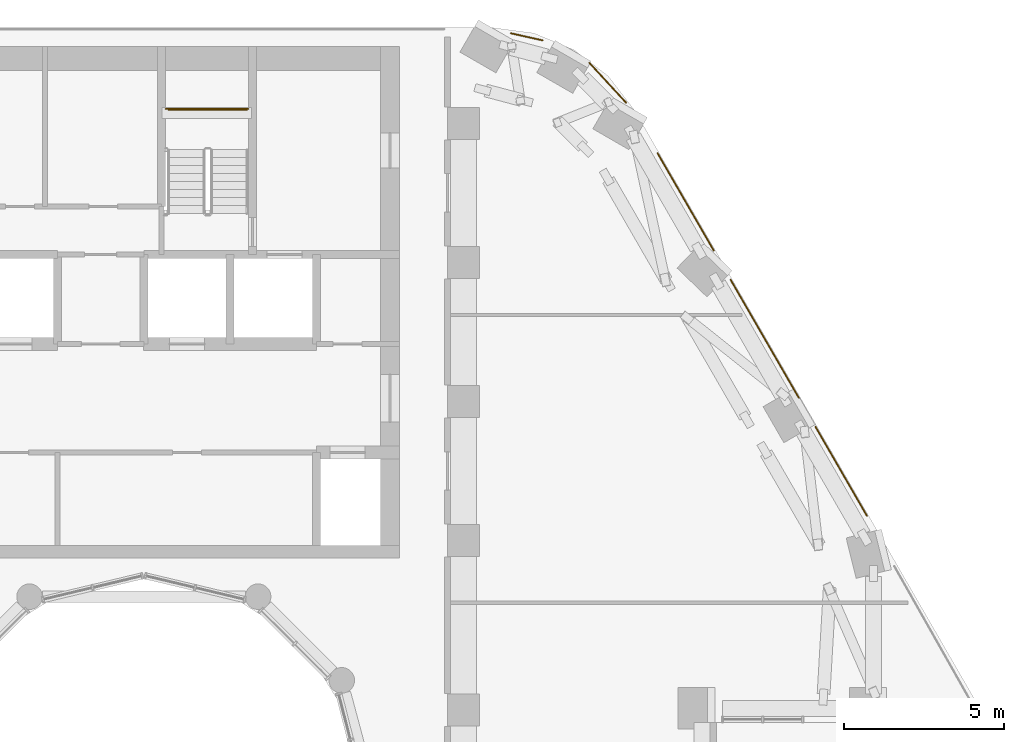
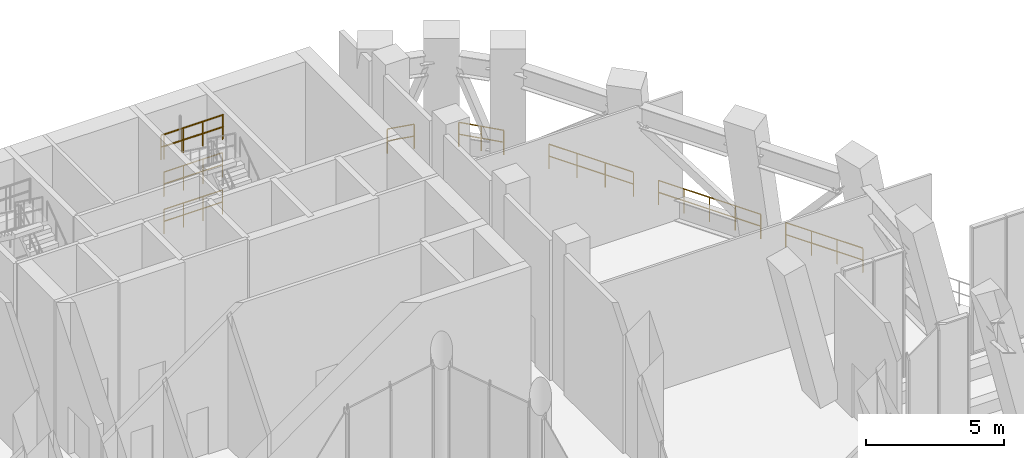
# One storey, part 19 of 19: 9 railings.
"""IFC4 building model written with IfcOpenShell, lengths in metres."""

from ifc_helpers import new_model, si_unit, direction, frame, origin, origin_2d, place, context, subcontext, project, spatial, circle, extrude, material, type_object, element, save


model = new_model("IFC4")

# Units and contexts
model_context = context("Model", 3, precision=1e-05, world=origin(), true_north=direction((0.0, 1.0)))
body_context = subcontext(model_context, "Body", "Model", "MODEL_VIEW")
ifc_project = project(units=[si_unit("LENGTHUNIT", "METRE"), si_unit("AREAUNIT", "SQUARE_METRE"), si_unit("VOLUMEUNIT", "CUBIC_METRE"), si_unit("PLANEANGLEUNIT", "RADIAN"), si_unit("MASSUNIT", "GRAM", prefix="KILO")], contexts=[model_context])

# Site, building, storey
site_placement = place(None, origin())
site = spatial("IfcSite", under=ifc_project, at=site_placement, CompositionType="ELEMENT")
building_placement = place(site_placement, origin())
building = spatial("IfcBuilding", under=site, at=building_placement, Name="Nakaniwa Court", CompositionType="ELEMENT")
storey_placement = place(building_placement, frame((0.0, 0.0, 170.10009765625)))
storey = spatial("IfcBuildingStorey", under=building, at=storey_placement, Name="S3", CompositionType="ELEMENT", Elevation=170.10009765625)

# Railings
ifc_material_1 = material(Name="Black powder-coated steel flat bar balustrade S275", Category="steel")
railing_type_1 = type_object("IfcRailingType", Name="Black metal terrace guard 1100", PredefinedType="GUARDRAIL", material=ifc_material_1)
railing_1_placement = place(storey_placement, frame((102.6201171875, 88.720947265625, 0.0)))
element("IfcRailing", 1, at=railing_1_placement, inside=storey, type_object=railing_type_1, Name="S3 refuge band guard 03", PredefinedType="GUARDRAIL", context=body_context, shape_type="SweptSolid", body=[
    extrude(circle(Radius=0.02392578125, at=origin_2d()), frame((0.0, 0.0, 1.076171875), z_axis=(-0.500061562926, 0.865989857495, 0.0), x_axis=(-0.865989857495, -0.500061562926, 0.0)), (0.0, 0.0, 1.0), 3.2197265625),
    extrude(circle(Radius=0.02392578125, at=origin_2d()), frame((0.0, 0.0, 0.550048828125), z_axis=(-0.500061562926, 0.865989857495, 0.0), x_axis=(-0.865989857495, -0.500061562926, 0.0)), (0.0, 0.0, 1.0), 3.2197265625),
    extrude(circle(Radius=0.02099609375, at=origin_2d()), origin(), (0.0, 0.0, 1.0), 1.052001953125),
    extrude(circle(Radius=0.02099609375, at=origin_2d()), frame((-0.53662109375, 0.929443359375, 0.0)), (0.0, 0.0, 1.0), 1.052001953125),
    extrude(circle(Radius=0.02099609375, at=origin_2d()), frame((-1.073486328125, 1.85888671875, 0.0)), (0.0, 0.0, 1.0), 1.052001953125),
    extrude(circle(Radius=0.02099609375, at=origin_2d()), frame((-1.610107421875, 2.788330078125, 0.0)), (0.0, 0.0, 1.0), 1.052001953125),
])
railing_2_placement = place(storey_placement, frame((100.4892578125, 92.41162109375, 0.0)))
element("IfcRailing", 2, at=railing_2_placement, inside=storey, type_object=railing_type_1, Name="S3 refuge band guard 04", PredefinedType="GUARDRAIL", context=body_context, shape_type="SweptSolid", body=[
    extrude(circle(Radius=0.02392578125, at=origin_2d()), frame((0.0, 0.0, 1.076171875), z_axis=(-0.500004369671, 0.866022880939, 0.0), x_axis=(-0.866022880939, -0.500004369671, 0.0)), (0.0, 0.0, 1.0), 4.27294921875),
    extrude(circle(Radius=0.02392578125, at=origin_2d()), frame((0.0, 0.0, 0.550048828125), z_axis=(-0.500004369671, 0.866022880939, 0.0), x_axis=(-0.866022880939, -0.500004369671, 0.0)), (0.0, 0.0, 1.0), 4.27294921875),
    extrude(circle(Radius=0.02099609375, at=origin_2d()), origin(), (0.0, 0.0, 1.0), 1.052001953125),
    extrude(circle(Radius=0.02099609375, at=origin_2d()), frame((-0.5341796875, 0.925048828125, 0.0)), (0.0, 0.0, 1.0), 1.052001953125),
    extrude(circle(Radius=0.02099609375, at=origin_2d()), frame((-1.068359375, 1.85009765625, 0.0)), (0.0, 0.0, 1.0), 1.052001953125),
    extrude(circle(Radius=0.02099609375, at=origin_2d()), frame((-1.602294921875, 2.775390625, 0.0)), (0.0, 0.0, 1.0), 1.052001953125),
    extrude(circle(Radius=0.02099609375, at=origin_2d()), frame((-2.136474609375, 3.700439453125, 0.0)), (0.0, 0.0, 1.0), 1.052001953125),
])
railing_3_placement = place(storey_placement, frame((97.829345703125, 97.0185546875, 0.0)))
element("IfcRailing", 3, at=railing_3_placement, inside=storey, type_object=railing_type_1, Name="S3 refuge band guard 05", PredefinedType="GUARDRAIL", context=body_context, shape_type="SweptSolid", body=[
    extrude(circle(Radius=0.02392578125, at=origin_2d()), frame((0.0, 0.0, 1.076171875), z_axis=(-0.499988652884, 0.866031954946, 0.0), x_axis=(-0.866031954946, -0.499988652884, 0.0)), (0.0, 0.0, 1.0), 3.51953125),
    extrude(circle(Radius=0.02392578125, at=origin_2d()), frame((0.0, 0.0, 0.550048828125), z_axis=(-0.499988652884, 0.866031954946, 0.0), x_axis=(-0.866031954946, -0.499988652884, 0.0)), (0.0, 0.0, 1.0), 3.51953125),
    extrude(circle(Radius=0.02099609375, at=origin_2d()), origin(), (0.0, 0.0, 1.0), 1.052001953125),
    extrude(circle(Radius=0.02099609375, at=origin_2d()), frame((-0.586669921875, 1.01611328125, 0.0)), (0.0, 0.0, 1.0), 1.052001953125),
    extrude(circle(Radius=0.02099609375, at=origin_2d()), frame((-1.173095703125, 2.031982421875, 0.0)), (0.0, 0.0, 1.0), 1.052001953125),
    extrude(circle(Radius=0.02099609375, at=origin_2d()), frame((-1.759765625, 3.048095703125, 0.0)), (0.0, 0.0, 1.0), 1.052001953125),
])
railing_4_placement = place(storey_placement, frame((95.089111328125, 101.64208984375, 0.0)))
element("IfcRailing", 4, at=railing_4_placement, inside=storey, type_object=railing_type_1, Name="S3 refuge band guard 06", PredefinedType="GUARDRAIL", context=body_context, shape_type="SweptSolid", body=[
    extrude(circle(Radius=0.02392578125, at=origin_2d()), frame((0.0, 0.0, 1.076171875), z_axis=(-0.677624763893, 0.735407831995, 0.0), x_axis=(-0.735407831995, -0.677624763893, 0.0)), (0.0, 0.0, 1.0), 1.70263671875),
    extrude(circle(Radius=0.02392578125, at=origin_2d()), frame((0.0, 0.0, 0.550048828125), z_axis=(-0.677624763893, 0.735407831995, 0.0), x_axis=(-0.735407831995, -0.677624763893, 0.0)), (0.0, 0.0, 1.0), 1.70263671875),
    extrude(circle(Radius=0.02099609375, at=origin_2d()), origin(), (0.0, 0.0, 1.0), 1.052001953125),
    extrude(circle(Radius=0.02099609375, at=origin_2d()), frame((-0.576904296875, 0.6259765625, 0.0)), (0.0, 0.0, 1.0), 1.052001953125),
    extrude(circle(Radius=0.02099609375, at=origin_2d()), frame((-1.15380859375, 1.252197265625, 0.0)), (0.0, 0.0, 1.0), 1.052001953125),
])
railing_5_placement = place(storey_placement, frame((92.4775390625, 103.5947265625, 0.0)))
element("IfcRailing", 5, at=railing_5_placement, inside=storey, type_object=railing_type_1, Name="S3 refuge band guard 07", PredefinedType="GUARDRAIL", context=body_context, shape_type="SweptSolid", body=[
    extrude(circle(Radius=0.02392578125, at=origin_2d()), frame((0.0, 0.0, 1.076171875), z_axis=(-0.975995637707, 0.217790071345, 0.0), x_axis=(-0.217790071345, -0.975995637707, 0.0)), (0.0, 0.0, 1.0), 1.0224609375),
    extrude(circle(Radius=0.02392578125, at=origin_2d()), frame((0.0, 0.0, 0.550048828125), z_axis=(-0.975995637707, 0.217790071345, 0.0), x_axis=(-0.217790071345, -0.975995637707, 0.0)), (0.0, 0.0, 1.0), 1.0224609375),
    extrude(circle(Radius=0.02099609375, at=origin_2d()), origin(), (0.0, 0.0, 1.0), 1.052001953125),
    extrude(circle(Radius=0.02099609375, at=origin_2d()), frame((-0.997802734375, 0.22265625, 0.0)), (0.0, 0.0, 1.0), 1.052001953125),
])
ifc_material_2 = material(Name="Black powder coated steel guard", Category="steel")
railing_type_2 = type_object("IfcRailingType", Name="Stair guard 1100", PredefinedType="GUARDRAIL", material=ifc_material_2)
railing_6_placement = place(storey_placement, frame((80.675048828125, 101.449951171875, 4.949951171875)))
element("IfcRailing", 6, at=railing_6_placement, inside=storey, type_object=railing_type_2, Name="S3 ST2 landing end guard 3", PredefinedType="GUARDRAIL", context=body_context, shape_type="SweptSolid", body=[
    extrude(circle(Radius=0.02392578125, at=origin_2d()), frame((0.0, 0.0, 1.076171875), z_axis=(1.0, 0.0, 0.0), x_axis=(0.0, 1.0, 0.0)), (0.0, 0.0, 1.0), 2.599853515625),
    extrude(circle(Radius=0.02392578125, at=origin_2d()), frame((0.0, 0.0, 0.550048828125), z_axis=(1.0, 0.0, 0.0), x_axis=(0.0, 1.0, 0.0)), (0.0, 0.0, 1.0), 2.599853515625),
    extrude(circle(Radius=0.02099609375, at=origin_2d()), origin(), (0.0, 0.0, 1.0), 1.052001953125),
    extrude(circle(Radius=0.02099609375, at=origin_2d()), frame((0.86669921875, 0.0, 0.0)), (0.0, 0.0, 1.0), 1.052001953125),
    extrude(circle(Radius=0.02099609375, at=origin_2d()), frame((1.733154296875, 0.0, 0.0)), (0.0, 0.0, 1.0), 1.052001953125),
    extrude(circle(Radius=0.02099609375, at=origin_2d()), frame((2.599853515625, 0.0, 0.0)), (0.0, 0.0, 1.0), 1.052001953125),
])
for number, where, name in (
    (7, (83.22509765625, 101.425048828125, 1.64990234375), "S3 ST2 stair far guard 1"),
    (8, (83.22509765625, 101.425048828125, 3.2998046875), "S3 ST2 stair far guard 2"),
    (9, (83.22509765625, 101.425048828125, 4.949951171875), "S3 ST2 stair far guard 3"),
):
    element("IfcRailing", number, at=place(storey_placement, frame(where)), inside=storey, type_object=railing_type_2, Name=name, PredefinedType="GUARDRAIL", context=body_context, shape_type="SweptSolid", body=[
        extrude(circle(Radius=0.02392578125, at=origin_2d()), frame((0.0, 0.0, 1.076171875), z_axis=(-1.0, 0.0, 0.0), x_axis=(0.0, -1.0, 0.0)), (0.0, 0.0, 1.0), 2.4501953125),
        extrude(circle(Radius=0.02392578125, at=origin_2d()), frame((0.0, 0.0, 0.550048828125), z_axis=(-1.0, 0.0, 0.0), x_axis=(0.0, -1.0, 0.0)), (0.0, 0.0, 1.0), 2.4501953125),
        extrude(circle(Radius=0.02099609375, at=origin_2d()), origin(), (0.0, 0.0, 1.0), 1.052001953125),
        extrude(circle(Radius=0.02099609375, at=origin_2d()), frame((-0.816650390625, 0.0, 0.0)), (0.0, 0.0, 1.0), 1.052001953125),
        extrude(circle(Radius=0.02099609375, at=origin_2d()), frame((-1.633544921875, 0.0, 0.0)), (0.0, 0.0, 1.0), 1.052001953125),
        extrude(circle(Radius=0.02099609375, at=origin_2d()), frame((-2.4501953125, 0.0, 0.0)), (0.0, 0.0, 1.0), 1.052001953125),
    ])

save(model, "model.ifc")
